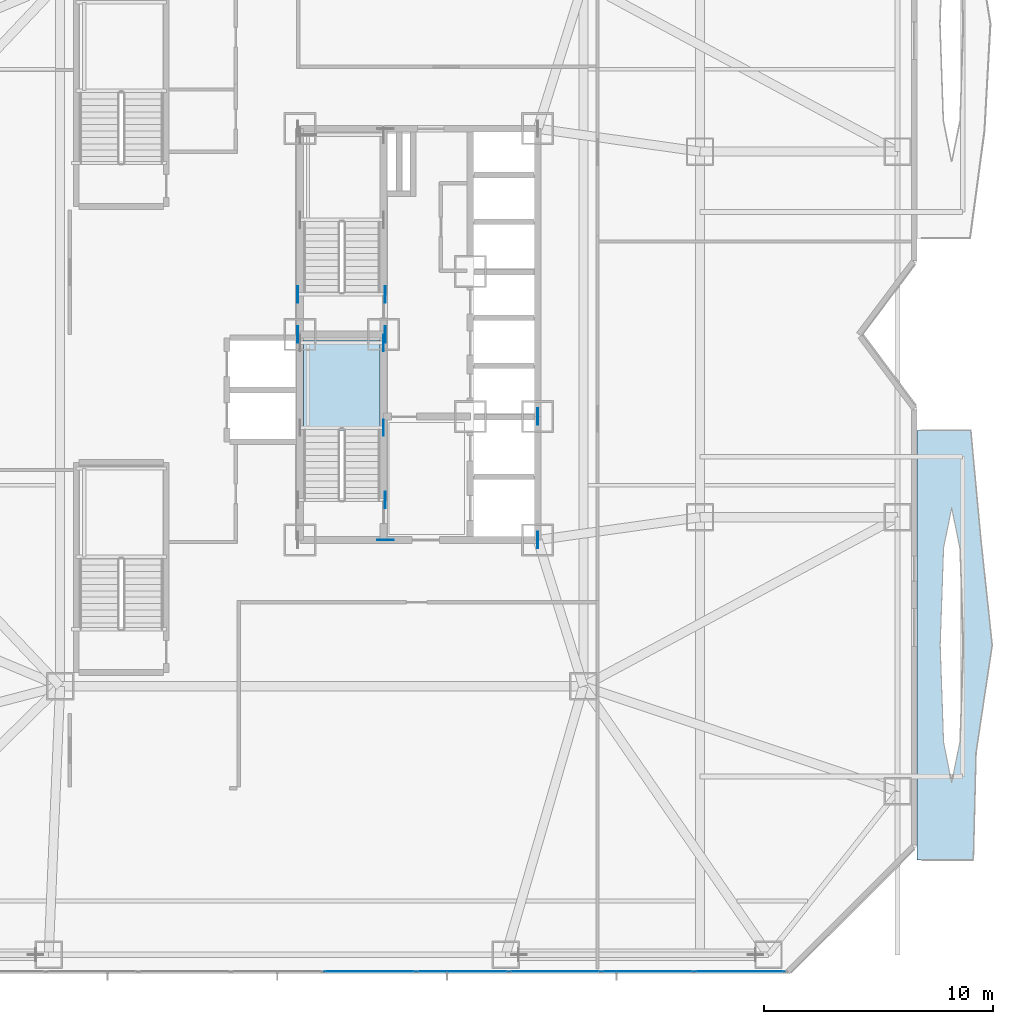
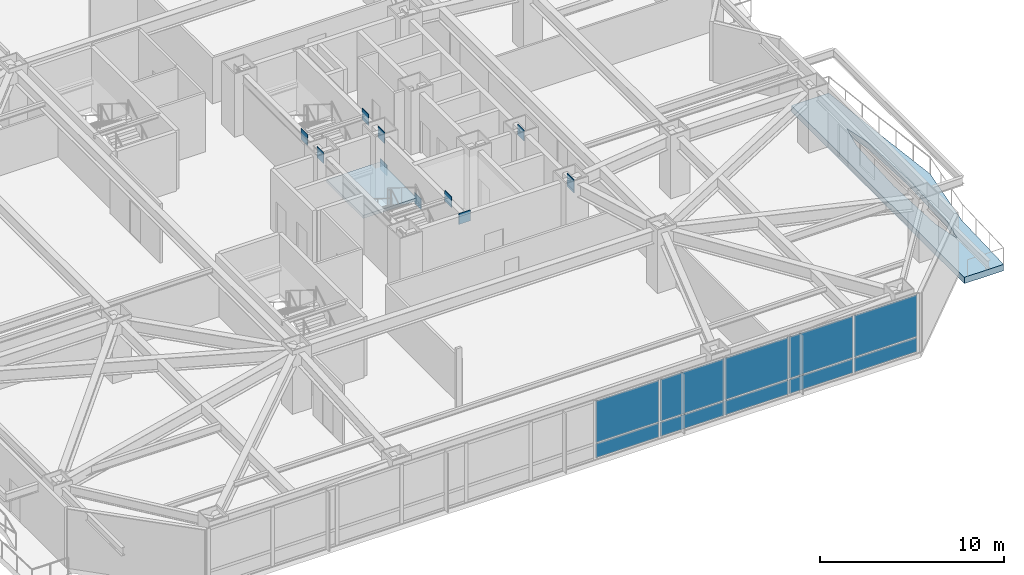
# One storey, part 18 of 32: 21 plates, 2 slabs, 2 elements without a shape of their own.
"""IFC4 building model written with IfcOpenShell, lengths in metres."""

from ifc_helpers import new_model, si_unit, direction, frame, origin, origin_2d, place, context, subcontext, project, spatial, polyline, rectangle, outline, extrude, material, layer, layer_set, type_object, element, aggregate, save


model = new_model("IFC4")

# Units and contexts
model_context = context("Model", 3, precision=1e-05, world=origin(), true_north=direction((0.0, 1.0)))
body_context = subcontext(model_context, "Body", "Model", "MODEL_VIEW")
ifc_project = project(units=[si_unit("LENGTHUNIT", "METRE"), si_unit("AREAUNIT", "SQUARE_METRE"), si_unit("VOLUMEUNIT", "CUBIC_METRE"), si_unit("PLANEANGLEUNIT", "RADIAN"), si_unit("MASSUNIT", "GRAM", prefix="KILO")], contexts=[model_context])

# Site, building, storey
site_placement = place(None, origin())
site = spatial("IfcSite", under=ifc_project, at=site_placement, CompositionType="ELEMENT")
building_placement = place(site_placement, origin())
building = spatial("IfcBuilding", under=site, at=building_placement, Name="Khamvora Tower", CompositionType="ELEMENT")
storey_placement = place(building_placement, frame((0.0, 0.0, 12.0)))
storey = spatial("IfcBuildingStorey", under=building, at=storey_placement, Name="L02", CompositionType="ELEMENT", Elevation=12.0)

# Curtain wall, plates
ifc_material_1 = material(Name="Anodised Aluminium 6063-T6", Category="aluminium")
curtain_wall_type = type_object("IfcCurtainWallType", Name="CW-SYS-01", PredefinedType="NOTDEFINED", material=ifc_material_1)
curtain_wall_placement = place(storey_placement, origin())
curtain_wall = element("IfcCurtainWall", 1, at=curtain_wall_placement, inside=storey, type_object=curtain_wall_type, Name="L02 stick curtain wall 14.1", PredefinedType="NOTDEFINED")
ifc_material_2 = material(Name="Low-E Laminated Double Glazing", Category="glass")
ifc_layer_1 = layer(ifc_material_2, 0.035888671875)
ifc_layer_set_1 = layer_set([ifc_layer_1], Name="Low-E Laminated Double Glazing")
plate_type_1 = type_object("IfcPlateType", Name="CW-SYS-01-PNL", PredefinedType="CURTAIN_PANEL", material=ifc_layer_set_1)
plate_1_placement = place(storey_placement, frame((48.231201171875, 0.1201171875, 0.074951171875), z_axis=(0.0, 0.0, 1.0), x_axis=(-1.0, 0.0, 0.0)))
plate_1 = element("IfcPlate", 2, at=plate_1_placement, type_object=plate_type_1, Name="CW-01 panel 1.1", PredefinedType="CURTAIN_PANEL", context=body_context, shape_type="SweptSolid", body=[
    extrude(rectangle(XDim=3.9375, YDim=0.035888671875, at=origin_2d()), origin(), (0.0, 0.0, 1.0), 0.9375),
])
plate_2_placement = place(storey_placement, frame((48.231201171875, 0.1201171875, 1.08740234375), z_axis=(0.0, 0.0, 1.0), x_axis=(-1.0, 0.0, 0.0)))
plate_2 = element("IfcPlate", 3, at=plate_2_placement, type_object=plate_type_1, Name="CW-01 panel 1.2", PredefinedType="CURTAIN_PANEL", context=body_context, shape_type="SweptSolid", body=[
    extrude(rectangle(XDim=3.9375, YDim=0.035888671875, at=origin_2d()), origin(), (0.0, 0.0, 1.0), 2.757568359375),
])
plate_3_placement = place(storey_placement, frame((44.199951171875, 0.1201171875, 0.074951171875), z_axis=(0.0, 0.0, 1.0), x_axis=(-1.0, 0.0, 0.0)))
plate_3 = element("IfcPlate", 4, at=plate_3_placement, type_object=plate_type_1, Name="CW-01 panel 2.1", PredefinedType="CURTAIN_PANEL", context=body_context, shape_type="SweptSolid", body=[
    extrude(rectangle(XDim=3.97509765625, YDim=0.035888671875, at=origin_2d()), origin(), (0.0, 0.0, 1.0), 0.9375),
])
plate_4_placement = place(storey_placement, frame((44.199951171875, 0.1201171875, 1.08740234375), z_axis=(0.0, 0.0, 1.0), x_axis=(-1.0, 0.0, 0.0)))
plate_4 = element("IfcPlate", 5, at=plate_4_placement, type_object=plate_type_1, Name="CW-01 panel 2.2", PredefinedType="CURTAIN_PANEL", context=body_context, shape_type="SweptSolid", body=[
    extrude(rectangle(XDim=3.97509765625, YDim=0.035888671875, at=origin_2d()), origin(), (0.0, 0.0, 1.0), 2.757568359375),
])
plate_5_placement = place(storey_placement, frame((40.14990234375, 0.1201171875, 0.074951171875), z_axis=(0.0, 0.0, 1.0), x_axis=(-1.0, 0.0, 0.0)))
plate_5 = element("IfcPlate", 6, at=plate_5_placement, type_object=plate_type_1, Name="CW-01 panel 3.1", PredefinedType="CURTAIN_PANEL", context=body_context, shape_type="SweptSolid", body=[
    extrude(rectangle(XDim=3.97509765625, YDim=0.035888671875, at=origin_2d()), origin(), (0.0, 0.0, 1.0), 0.9375),
])
plate_6_placement = place(storey_placement, frame((40.14990234375, 0.1201171875, 1.08740234375), z_axis=(0.0, 0.0, 1.0), x_axis=(-1.0, 0.0, 0.0)))
plate_6 = element("IfcPlate", 7, at=plate_6_placement, type_object=plate_type_1, Name="CW-01 panel 3.2", PredefinedType="CURTAIN_PANEL", context=body_context, shape_type="SweptSolid", body=[
    extrude(rectangle(XDim=3.97509765625, YDim=0.035888671875, at=origin_2d()), origin(), (0.0, 0.0, 1.0), 2.757568359375),
])
plate_7_placement = place(storey_placement, frame((36.10009765625, 0.1201171875, 0.074951171875), z_axis=(0.0, 0.0, 1.0), x_axis=(-1.0, 0.0, 0.0)))
plate_7 = element("IfcPlate", 8, at=plate_7_placement, type_object=plate_type_1, Name="CW-01 panel 4.1", PredefinedType="CURTAIN_PANEL", context=body_context, shape_type="SweptSolid", body=[
    extrude(rectangle(XDim=3.97509765625, YDim=0.035888671875, at=origin_2d()), origin(), (0.0, 0.0, 1.0), 0.9375),
])
plate_8_placement = place(storey_placement, frame((36.10009765625, 0.1201171875, 1.08740234375), z_axis=(0.0, 0.0, 1.0), x_axis=(-1.0, 0.0, 0.0)))
plate_8 = element("IfcPlate", 9, at=plate_8_placement, type_object=plate_type_1, Name="CW-01 panel 4.2", PredefinedType="CURTAIN_PANEL", context=body_context, shape_type="SweptSolid", body=[
    extrude(rectangle(XDim=3.97509765625, YDim=0.035888671875, at=origin_2d()), origin(), (0.0, 0.0, 1.0), 2.757568359375),
])
plate_9_placement = place(storey_placement, frame((32.050048828125, 0.1201171875, 0.074951171875), z_axis=(0.0, 0.0, 1.0), x_axis=(-1.0, 0.0, 0.0)))
plate_9 = element("IfcPlate", 10, at=plate_9_placement, type_object=plate_type_1, Name="CW-01 panel 5.1", PredefinedType="CURTAIN_PANEL", context=body_context, shape_type="SweptSolid", body=[
    extrude(rectangle(XDim=3.97509765625, YDim=0.035888671875, at=origin_2d()), origin(), (0.0, 0.0, 1.0), 0.9375),
])
plate_10_placement = place(storey_placement, frame((32.050048828125, 0.1201171875, 1.08740234375), z_axis=(0.0, 0.0, 1.0), x_axis=(-1.0, 0.0, 0.0)))
plate_10 = element("IfcPlate", 11, at=plate_10_placement, type_object=plate_type_1, Name="CW-01 panel 5.2", PredefinedType="CURTAIN_PANEL", context=body_context, shape_type="SweptSolid", body=[
    extrude(rectangle(XDim=3.97509765625, YDim=0.035888671875, at=origin_2d()), origin(), (0.0, 0.0, 1.0), 2.757568359375),
])
aggregate(curtain_wall, [plate_1, plate_2, plate_3, plate_4, plate_5, plate_6, plate_7, plate_8, plate_9, plate_10])

# Plates
ifc_material_3 = material(Name="Steel S460", Category="steel")
ifc_layer_2 = layer(ifc_material_3, 0.034912109375)
ifc_layer_set_2 = layer_set([ifc_layer_2], Name="Steel S460")
plate_type_2 = type_object("IfcPlateType", Name="PL-EMB-35", PredefinedType="SHEET", material=ifc_layer_set_2)
for number, where, z_axis, x_axis, name in (
    (12, (32.64990234375, 23.9150390625, 1.4091796875), (0.0, 0.0, 1.0), (1.0, 0.0, 0.0), "L02 core shear wall cast-in embed plate 0104"),
    (13, (32.64990234375, 27.6298828125, 1.4091796875), (0.0, 0.0, 1.0), (1.0, 0.0, 0.0), "L02 core shear wall cast-in embed plate 0106"),
    (14, (39.39990234375, 19.0, 3.1318359375), (0.0, 0.0, 1.0), (1.0, 0.0, 0.0), "L02 core shear wall cast-in embed plate 0112"),
    (15, (28.89990234375, 28.0, 3.29296875), (0.0, 0.0, 1.0), (1.0, 0.0, 0.0), "L02 core shear wall cast-in embed plate 0115"),
):
    element("IfcPlate", number, at=place(storey_placement, frame(where, z_axis=z_axis, x_axis=x_axis)), inside=storey, type_object=plate_type_2, Name=name, PredefinedType="SHEET", context=body_context, shape_type="SweptSolid", body=[
        extrude(rectangle(XDim=0.034912109375, YDim=0.719970703125, at=origin_2d()), origin(), (0.0, 0.0, 1.0), 0.719970703125),
    ])
plate_11_placement = place(storey_placement, frame((32.72998046875, 19.0, 3.29296875), z_axis=(0.0, 0.0, 1.0), x_axis=(1.0, 0.0, 0.0)))
element("IfcPlate", 16, at=plate_11_placement, inside=storey, type_object=plate_type_2, Name="L02 core shear wall cast-in embed plate 0117", PredefinedType="SHEET", context=body_context, shape_type="SweptSolid", body=[
    extrude(rectangle(XDim=0.719970703125, YDim=0.034912109375, at=origin_2d()), origin(), (0.0, 0.0, 1.0), 0.719970703125),
])
for number, where, z_axis, x_axis, name in (
    (17, (32.72998046875, 28.0, 3.29296875), (0.0, 0.0, 1.0), (1.0, 0.0, 0.0), "L02 core shear wall cast-in embed plate 0118"),
    (18, (39.39990234375, 19.0, 3.29296875), (0.0, 0.0, 1.0), (1.0, 0.0, 0.0), "L02 core shear wall cast-in embed plate 0120"),
    (19, (39.39990234375, 24.39990234375, 3.29296875), (0.0, 0.0, 1.0), (1.0, 0.0, 0.0), "L02 core shear wall cast-in embed plate 0121"),
    (20, (32.72998046875, 20.75, 3.43408203125), (0.0, 0.0, 1.0), (1.0, 0.0, 0.0), "L02 core shear wall cast-in embed plate 0124"),
    (21, (28.89990234375, 29.75, 3.43408203125), (0.0, 0.0, 1.0), (1.0, 0.0, 0.0), "L02 core shear wall cast-in embed plate 0125"),
    (22, (32.72998046875, 29.75, 3.43408203125), (0.0, 0.0, 1.0), (1.0, 0.0, 0.0), "L02 core shear wall cast-in embed plate 0126"),
):
    element("IfcPlate", number, at=place(storey_placement, frame(where, z_axis=z_axis, x_axis=x_axis)), inside=storey, type_object=plate_type_2, Name=name, PredefinedType="SHEET", context=body_context, shape_type="SweptSolid", body=[
        extrude(rectangle(XDim=0.034912109375, YDim=0.719970703125, at=origin_2d()), origin(), (0.0, 0.0, 1.0), 0.719970703125),
    ])

# Slab
ifc_material_4 = material(Name="Concrete C40/50", Category="concrete")
ifc_layer_3 = layer(ifc_material_4, 0.419921875)
ifc_layer_set_3 = layer_set([ifc_layer_3], Name="Concrete C40/50")
slab_type_1 = type_object("IfcSlabType", Name="SLB-GRD-420", PredefinedType="FLOOR", material=ifc_layer_set_3)
slab_1_placement = place(storey_placement, frame((0.0, 0.0, -0.419921875)))
element("IfcSlab", 23, at=slab_1_placement, inside=storey, type_object=slab_type_1, Name="L02 external lens gallery slab EL1", PredefinedType="FLOOR", context=body_context, shape_type="SweptSolid", body=[
    extrude(outline(polyline([(58.462890625, 5.0), (58.5810546875, 9.699951171875), (59.2880859375, 14.39990234375), (58.785888671875, 19.10009765625), (58.35107421875, 23.800048828125), (56.0, 23.800048828125), (56.0, 5.0), (58.462890625, 5.0)]), holes=[polyline([(58.01904296875, 14.39990234375), (57.87109375, 18.654052734375), (57.514892578125, 20.416015625), (57.158935546875, 18.654052734375), (57.010986328125, 14.39990234375), (57.158935546875, 10.14599609375), (57.514892578125, 8.384033203125), (57.87109375, 10.14599609375), (58.01904296875, 14.39990234375)])]), origin(), (0.0, 0.0, 1.0), 0.419921875),
])

# Stair, slab
stair_type = type_object("IfcStairType", Name="STR-ST-01", PredefinedType="HALF_TURN_STAIR", material=ifc_material_4)
stair_placement = place(storey_placement, origin())
stair = element("IfcStair", 24, at=stair_placement, inside=storey, type_object=stair_type, Name="L02 South Tower Exit Stair ST-01", PredefinedType="HALF_TURN_STAIR")
ifc_layer_4 = layer(ifc_material_4, 0.199951171875)
ifc_layer_set_4 = layer_set([ifc_layer_4], Name="Concrete C40/50")
slab_type_2 = type_object("IfcSlabType", Name="SLB-LND-200", PredefinedType="LANDING", material=ifc_layer_set_4)
slab_2_placement = place(storey_placement, frame((0.0, 0.0, 1.89990234375)))
slab_2 = element("IfcSlab", 25, at=slab_2_placement, type_object=slab_type_2, Name="ST-01 landing 1", PredefinedType="LANDING", context=body_context, shape_type="SweptSolid", body=[
    extrude(outline(polyline([(32.5, 23.794921875), (32.5, 27.75), (29.14990234375, 27.75), (29.14990234375, 23.794921875), (32.5, 23.794921875)])), origin(), (0.0, 0.0, 1.0), 0.2001953125),
])
aggregate(stair, [slab_2])

save(model, "model.ifc")
